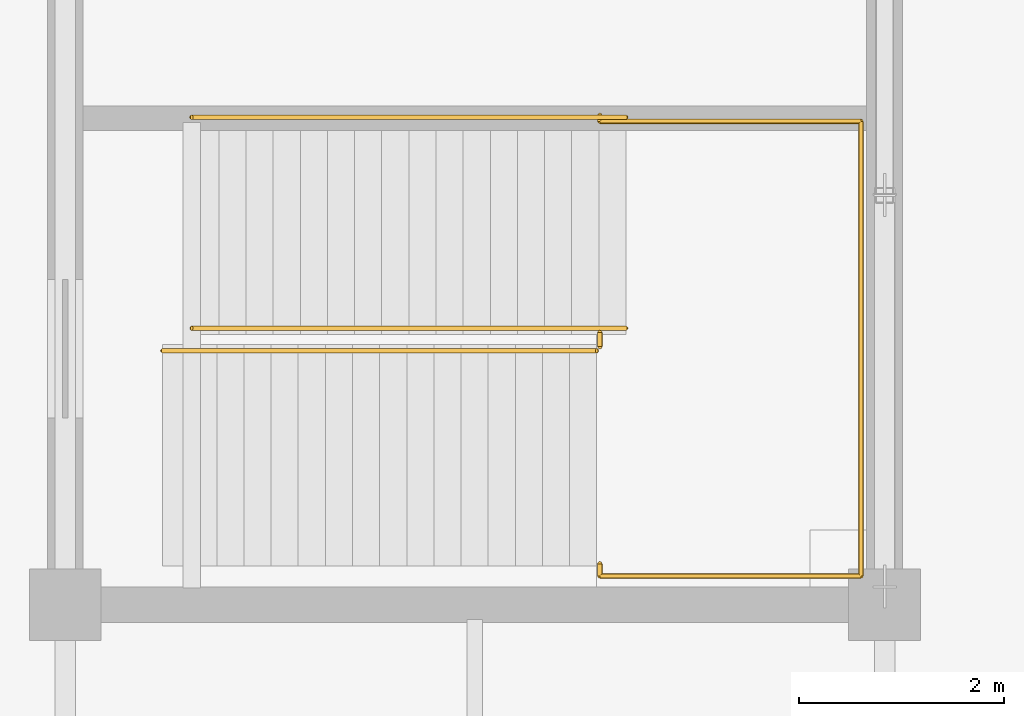
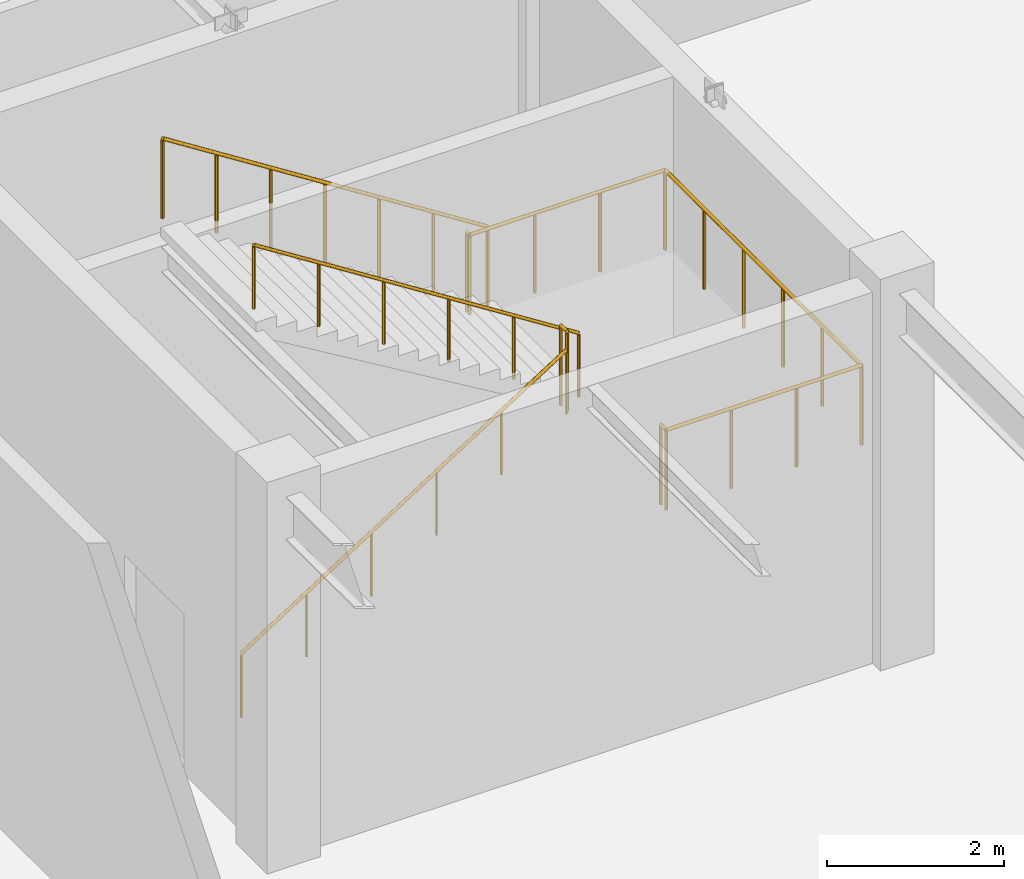
# One storey, part 117 of 119: 5 railings.
"""IFC4 building model written with IfcOpenShell, lengths in metres."""

from ifc_helpers import new_model, si_unit, direction, frame, origin, origin_2d, place, context, subcontext, project, spatial, circle, extrude, material, type_object, element, save


model = new_model("IFC4")

# Units and contexts
model_context = context("Model", 3, precision=1e-05, world=origin(), true_north=direction((0.0, 1.0)))
body_context = subcontext(model_context, "Body", "Model", "MODEL_VIEW")
ifc_project = project(units=[si_unit("LENGTHUNIT", "METRE"), si_unit("AREAUNIT", "SQUARE_METRE"), si_unit("VOLUMEUNIT", "CUBIC_METRE"), si_unit("PLANEANGLEUNIT", "RADIAN"), si_unit("MASSUNIT", "GRAM", prefix="KILO")], contexts=[model_context])

# Site, building, storey
site_placement = place(None, origin())
site = spatial("IfcSite", under=ifc_project, at=site_placement, CompositionType="ELEMENT")
building_placement = place(site_placement, origin())
building = spatial("IfcBuilding", under=site, at=building_placement, Name="Zhaolan Boulevard Law Courts", CompositionType="ELEMENT")
storey_placement = place(building_placement, origin())
storey = spatial("IfcBuildingStorey", under=building, at=storey_placement, Name="L00", CompositionType="ELEMENT", Elevation=0.0)

# Railings
ifc_material_1 = material(Name="Brushed stainless steel tubular handrail", Category="steel")
railing_type_1 = type_object("IfcRailingType", Name="STAIR HANDRAIL 900", PredefinedType="HANDRAIL", material=ifc_material_1)
railing_1_placement = place(storey_placement, frame((140.949951171875, 72.47998046875, 0.0)))
element("IfcRailing", 1, at=railing_1_placement, inside=storey, type_object=railing_type_1, Name="Stair Handrail HR-ST09-L00-1", PredefinedType="HANDRAIL", context=body_context, shape_type="SweptSolid", body=[
    extrude(circle(Radius=0.0224609375, at=origin_2d()), frame((0.0, 0.0, 0.87744140625), z_axis=(0.843501457581, 0.0, 0.537126885437), x_axis=(0.0, 1.0, 0.0)), (0.0, 0.0, 1.0), 5.026611328125),
    extrude(circle(Radius=0.01904296875, at=origin_2d()), origin(), (0.0, 0.0, 1.0), 0.85498046875),
    extrude(circle(Radius=0.01904296875, at=origin_2d()), frame((0.847900390625, 0.0, 0.5400390625)), (0.0, 0.0, 1.0), 0.85498046875),
    extrude(circle(Radius=0.01904296875, at=origin_2d()), frame((1.696044921875, 0.0, 1.080078125)), (0.0, 0.0, 1.0), 0.85498046875),
    extrude(circle(Radius=0.01904296875, at=origin_2d()), frame((2.5439453125, 0.0, 1.619873046875)), (0.0, 0.0, 1.0), 0.85498046875),
    extrude(circle(Radius=0.01904296875, at=origin_2d()), frame((3.39208984375, 0.0, 2.159912109375)), (0.0, 0.0, 1.0), 0.85498046875),
    extrude(circle(Radius=0.01904296875, at=origin_2d()), frame((4.239990234375, 0.0, 2.699951171875)), (0.0, 0.0, 1.0), 0.85498046875),
])
railing_2_placement = place(storey_placement, frame((145.47509765625, 72.699951171875, 2.699951171875)))
element("IfcRailing", 2, at=railing_2_placement, inside=storey, type_object=railing_type_1, Name="Stair Handrail HR-ST09-L00-2", PredefinedType="HANDRAIL", context=body_context, shape_type="SweptSolid", body=[
    extrude(circle(Radius=0.0224609375, at=origin_2d()), frame((0.0, 0.0, 0.87744140625), z_axis=(-0.843501457581, 0.0, 0.537126885437), x_axis=(0.0, -1.0, 0.0)), (0.0, 0.0, 1.0), 5.026611328125),
    extrude(circle(Radius=0.01904296875, at=origin_2d()), origin(), (0.0, 0.0, 1.0), 0.85498046875),
    extrude(circle(Radius=0.01904296875, at=origin_2d()), frame((-0.847900390625, 0.0, 0.5400390625)), (0.0, 0.0, 1.0), 0.85498046875),
    extrude(circle(Radius=0.01904296875, at=origin_2d()), frame((-1.696044921875, 0.0, 1.080078125)), (0.0, 0.0, 1.0), 0.85498046875),
    extrude(circle(Radius=0.01904296875, at=origin_2d()), frame((-2.5439453125, 0.0, 1.619873046875)), (0.0, 0.0, 1.0), 0.85498046875),
    extrude(circle(Radius=0.01904296875, at=origin_2d()), frame((-3.39208984375, 0.0, 2.159912109375)), (0.0, 0.0, 1.0), 0.85498046875),
    extrude(circle(Radius=0.01904296875, at=origin_2d()), frame((-4.239990234375, 0.0, 2.699951171875)), (0.0, 0.0, 1.0), 0.85498046875),
])
ifc_material_2 = material(Name="Powder-coated steel baluster guardrail", Category="steel")
railing_type_2 = type_object("IfcRailingType", Name="STAIR WELL GUARDRAIL 1120", PredefinedType="GUARDRAIL", material=ifc_material_2)
railing_3_placement = place(storey_placement, frame((145.219970703125, 70.39990234375, 2.699951171875)))
element("IfcRailing", 3, at=railing_3_placement, inside=storey, type_object=railing_type_2, Name="Half-Landing Guardrail SG-ST09-L00-M", PredefinedType="GUARDRAIL", context=body_context, shape_type="SweptSolid", body=[
    extrude(circle(Radius=0.02392578125, at=origin_2d()), frame((0.0, 0.0, 1.09619140625), z_axis=(0.0, -1.0, 0.0), x_axis=(1.0, 0.0, 0.0)), (0.0, 0.0, 1.0), 0.119873046875),
    extrude(circle(Radius=0.02392578125, at=origin_2d()), frame((0.0, -0.119873046875, 1.09619140625), z_axis=(1.0, 0.0, 0.0), x_axis=(0.0, 1.0, 0.0)), (0.0, 0.0, 1.0), 2.550048828125),
    extrude(circle(Radius=0.02392578125, at=origin_2d()), frame((2.550048828125, -0.119873046875, 1.09619140625), z_axis=(0.0, 1.0, 0.0), x_axis=(-1.0, 0.0, 0.0)), (0.0, 0.0, 1.0), 4.43994140625),
    extrude(circle(Radius=0.02392578125, at=origin_2d()), frame((2.550048828125, 4.320068359375, 1.09619140625), z_axis=(-1.0, 0.0, 0.0), x_axis=(0.0, -1.0, 0.0)), (0.0, 0.0, 1.0), 2.550048828125),
    extrude(circle(Radius=0.02392578125, at=origin_2d()), frame((0.0, 4.320068359375, 1.09619140625), z_axis=(0.0, 1.0, 0.0), x_axis=(-1.0, 0.0, 0.0)), (0.0, 0.0, 1.0), 0.06005859375),
    extrude(circle(Radius=0.02099609375, at=origin_2d()), origin(), (0.0, 0.0, 1.0), 1.072021484375),
    extrude(circle(Radius=0.02099609375, at=origin_2d()), frame((0.0, -0.119873046875, 0.0)), (0.0, 0.0, 1.0), 1.072021484375),
    extrude(circle(Radius=0.02099609375, at=origin_2d()), frame((0.85009765625, -0.119873046875, 0.0)), (0.0, 0.0, 1.0), 1.072021484375),
    extrude(circle(Radius=0.02099609375, at=origin_2d()), frame((1.699951171875, -0.119873046875, 0.0)), (0.0, 0.0, 1.0), 1.072021484375),
    extrude(circle(Radius=0.02099609375, at=origin_2d()), frame((2.550048828125, -0.119873046875, 0.0)), (0.0, 0.0, 1.0), 1.072021484375),
    extrude(circle(Radius=0.02099609375, at=origin_2d()), frame((2.550048828125, 0.76806640625, 0.0)), (0.0, 0.0, 1.0), 1.072021484375),
    extrude(circle(Radius=0.02099609375, at=origin_2d()), frame((2.550048828125, 1.656005859375, 0.0)), (0.0, 0.0, 1.0), 1.072021484375),
    extrude(circle(Radius=0.02099609375, at=origin_2d()), frame((2.550048828125, 2.544189453125, 0.0)), (0.0, 0.0, 1.0), 1.072021484375),
    extrude(circle(Radius=0.02099609375, at=origin_2d()), frame((2.550048828125, 3.43212890625, 0.0)), (0.0, 0.0, 1.0), 1.072021484375),
    extrude(circle(Radius=0.02099609375, at=origin_2d()), frame((2.550048828125, 4.320068359375, 0.0)), (0.0, 0.0, 1.0), 1.072021484375),
    extrude(circle(Radius=0.02099609375, at=origin_2d()), frame((1.699951171875, 4.320068359375, 0.0)), (0.0, 0.0, 1.0), 1.072021484375),
    extrude(circle(Radius=0.02099609375, at=origin_2d()), frame((0.85009765625, 4.320068359375, 0.0)), (0.0, 0.0, 1.0), 1.072021484375),
    extrude(circle(Radius=0.02099609375, at=origin_2d()), frame((0.0, 4.320068359375, 0.0)), (0.0, 0.0, 1.0), 1.072021484375),
    extrude(circle(Radius=0.02099609375, at=origin_2d()), frame((0.0, 4.380126953125, 0.0)), (0.0, 0.0, 1.0), 1.072021484375),
])
railing_4_placement = place(storey_placement, frame((145.219970703125, 72.52001953125, 2.699951171875)))
element("IfcRailing", 4, at=railing_4_placement, inside=storey, type_object=railing_type_2, Name="Half-Landing Well Guardrail SG-ST09-L00-W", PredefinedType="GUARDRAIL", context=body_context, shape_type="SweptSolid", body=[
    extrude(circle(Radius=0.02392578125, at=origin_2d()), frame((0.0, 0.0, 1.09619140625), z_axis=(0.0, 1.0, 0.0), x_axis=(-1.0, 0.0, 0.0)), (0.0, 0.0, 1.0), 0.139892578125),
    extrude(circle(Radius=0.02099609375, at=origin_2d()), origin(), (0.0, 0.0, 1.0), 1.072021484375),
    extrude(circle(Radius=0.02099609375, at=origin_2d()), frame((0.0, 0.139892578125, 0.0)), (0.0, 0.0, 1.0), 1.072021484375),
])
railing_5_placement = place(storey_placement, frame((145.47509765625, 74.760009765625, 2.699951171875)))
element("IfcRailing", 5, at=railing_5_placement, inside=storey, type_object=railing_type_2, Name="Flight Guardrail SG-ST09-L00-F2", PredefinedType="GUARDRAIL", context=body_context, shape_type="SweptSolid", body=[
    extrude(circle(Radius=0.02392578125, at=origin_2d()), frame((0.0, 0.0, 1.09619140625), z_axis=(-0.843501457581, 0.0, 0.537126885437), x_axis=(0.0, -1.0, 0.0)), (0.0, 0.0, 1.0), 5.026611328125),
    extrude(circle(Radius=0.02099609375, at=origin_2d()), origin(), (0.0, 0.0, 1.0), 1.072021484375),
    extrude(circle(Radius=0.02099609375, at=origin_2d()), frame((-0.70654296875, 0.0, 0.449951171875)), (0.0, 0.0, 1.0), 1.072021484375),
    extrude(circle(Radius=0.02099609375, at=origin_2d()), frame((-1.413330078125, 0.0, 0.89990234375)), (0.0, 0.0, 1.0), 1.072021484375),
    extrude(circle(Radius=0.02099609375, at=origin_2d()), frame((-2.1201171875, 0.0, 1.35009765625)), (0.0, 0.0, 1.0), 1.072021484375),
    extrude(circle(Radius=0.02099609375, at=origin_2d()), frame((-2.82666015625, 0.0, 1.800048828125)), (0.0, 0.0, 1.0), 1.072021484375),
    extrude(circle(Radius=0.02099609375, at=origin_2d()), frame((-3.533203125, 0.0, 2.25)), (0.0, 0.0, 1.0), 1.072021484375),
    extrude(circle(Radius=0.02099609375, at=origin_2d()), frame((-4.239990234375, 0.0, 2.699951171875)), (0.0, 0.0, 1.0), 1.072021484375),
])

save(model, "model.ifc")
